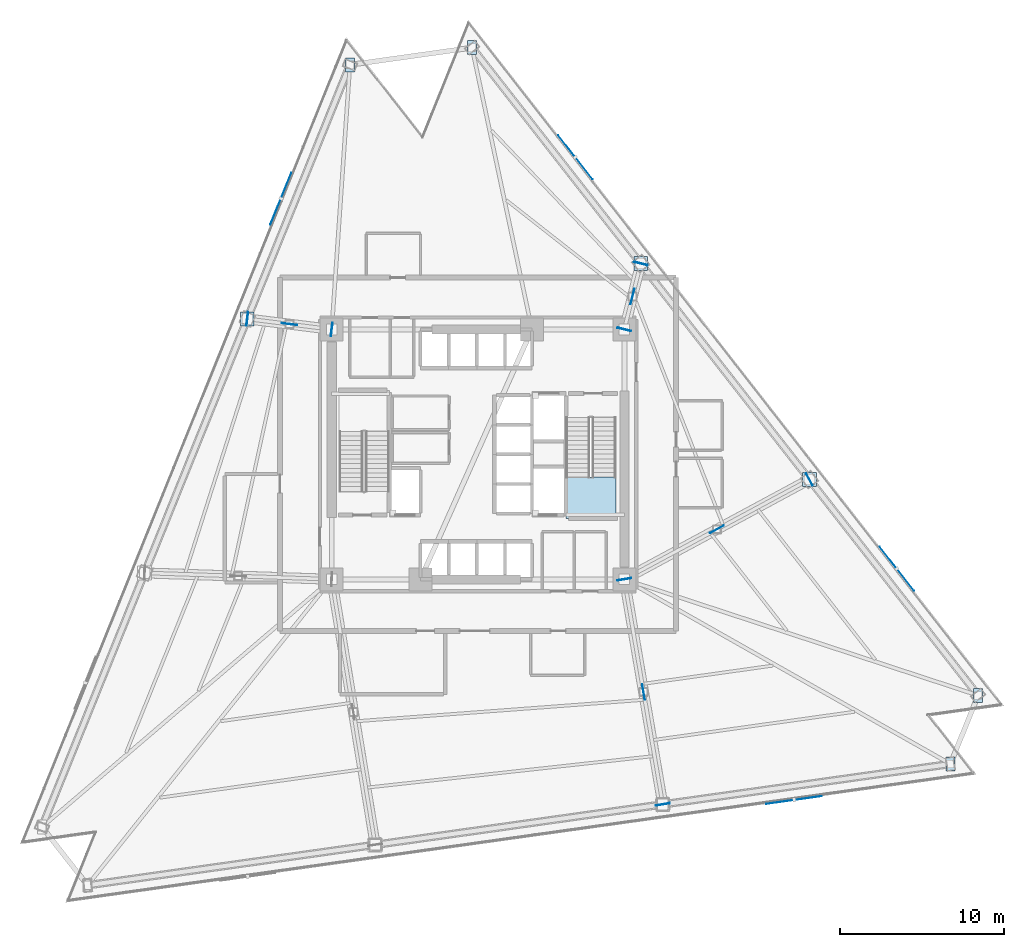
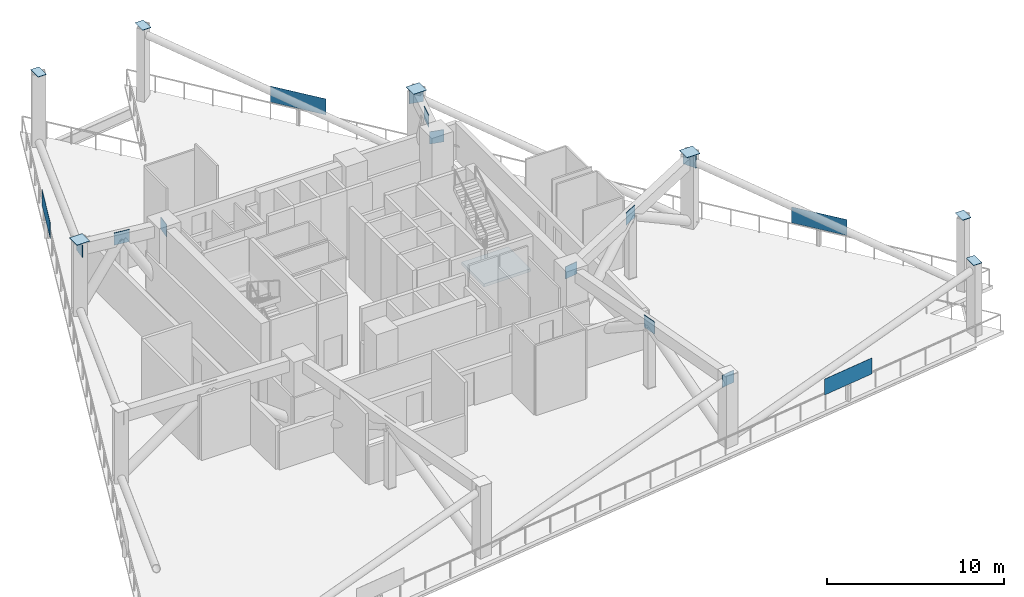
# One storey, part 5 of 13: 22 plates, 1 slab, 1 element without a shape of its own.
"""IFC4 building model written with IfcOpenShell, lengths in metres."""

from ifc_helpers import new_model, si_unit, direction, frame, origin, origin_2d, place, context, subcontext, project, spatial, polyline, rectangle, outline, extrude, material, layer, layer_set, type_object, element, aggregate, save


model = new_model("IFC4")

# Units and contexts
model_context = context("Model", 3, precision=1e-05, world=origin(), true_north=direction((0.0, 1.0)))
body_context = subcontext(model_context, "Body", "Model", "MODEL_VIEW")
ifc_project = project(units=[si_unit("LENGTHUNIT", "METRE"), si_unit("AREAUNIT", "SQUARE_METRE"), si_unit("VOLUMEUNIT", "CUBIC_METRE"), si_unit("PLANEANGLEUNIT", "RADIAN"), si_unit("MASSUNIT", "GRAM", prefix="KILO")], contexts=[model_context])

# Site, building, storey
site_placement = place(None, origin())
site = spatial("IfcSite", under=ifc_project, at=site_placement, CompositionType="ELEMENT")
building_placement = place(site_placement, origin())
building = spatial("IfcBuilding", under=site, at=building_placement, Name="Tharavind Bronze Gate", CompositionType="ELEMENT")
storey_placement = place(building_placement, frame((0.0, 0.0, 81.10009765625)))
storey = spatial("IfcBuildingStorey", under=building, at=storey_placement, Name="L20", CompositionType="ELEMENT", Elevation=81.10009765625)

# Plates
ifc_material_1 = material(Name="Perforated Bronze Alloy", Category="bronze")
ifc_layer_1 = layer(ifc_material_1, 0.011962890625)
ifc_layer_set_1 = layer_set([ifc_layer_1], Name="Perforated Bronze Alloy")
plate_type_1 = type_object("IfcPlateType", Name="BRONZE PERFORATED SOLAR SCREEN", PredefinedType="USERDEFINED", material=ifc_layer_set_1)
for number, where, z_axis, x_axis, name in (
    (1, (-11.99560546875, 15.56201171875, 1.099853515625), (0.0, 0.0, 1.0), (-0.374606593416, -0.927183854567, 0.0), "L20 wind floor acoustic bronze baffle 1.1"),
    (2, (19.231689453125, -21.031494140625, 1.099853515625), (0.0, 0.0, 1.0), (0.990268068742, 0.13917310096, 0.0), "L20 wind floor acoustic bronze baffle 2.2"),
    (3, (25.478759765625, -6.956298828125, 1.099853515625), (0.0, 0.0, 1.0), (-0.615660099987, 0.788011828138, 0.0), "L20 wind floor acoustic bronze baffle 3.1"),
    (4, (5.918701171875, 18.07958984375, 1.099853515625), (0.0, 0.0, 1.0), (-0.615660099987, 0.788011828138, 0.0), "L20 wind floor acoustic bronze baffle 3.2"),
):
    element("IfcPlate", number, at=place(storey_placement, frame(where, z_axis=z_axis, x_axis=x_axis)), inside=storey, type_object=plate_type_1, Name=name, ObjectType="SCREEN", PredefinedType="USERDEFINED", context=body_context, shape_type="SweptSolid", body=[
        extrude(rectangle(XDim=3.39990234375, YDim=0.011962890625, at=origin_2d()), origin(), (0.0, 0.0, 1.0), 1.10009765625),
    ])

# Stair, slab
ifc_material_2 = material(Name="Concrete C40/50", Category="concrete")
stair_type = type_object("IfcStairType", Name="CORE HALF TURN STAIR 1450", PredefinedType="HALF_TURN_STAIR", material=ifc_material_2)
stair_placement = place(storey_placement, origin())
stair = element("IfcStair", 5, at=stair_placement, inside=storey, type_object=stair_type, Name="L20 Protected Exit Stair ST2", PredefinedType="HALF_TURN_STAIR")
ifc_layer_2 = layer(ifc_material_2, 0.199951171875)
ifc_layer_set_2 = layer_set([ifc_layer_2], Name="Concrete C40/50")
slab_type = type_object("IfcSlabType", Name="STAIR LANDING SLAB 200", PredefinedType="LANDING", material=ifc_layer_set_2)
slab_placement = place(storey_placement, frame((0.0, 0.0, 2.2998046875)))
slab = element("IfcSlab", 6, at=slab_placement, type_object=slab_type, Name="ST2 landing 1", PredefinedType="LANDING", context=body_context, shape_type="SweptSolid", body=[
    extrude(outline(polyline([(5.35009765625, -1.389892578125), (5.35009765625, -3.89990234375), (8.39990234375, -3.89990234375), (8.39990234375, -1.389892578125), (5.35009765625, -1.389892578125)])), origin(), (0.0, 0.0, 1.0), 0.2001953125),
])
aggregate(stair, [slab])

# Plates
ifc_material_3 = material(Name="Steel S460", Category="steel")
ifc_layer_3 = layer(ifc_material_3, 0.02490234375)
ifc_layer_set_3 = layer_set([ifc_layer_3], Name="Steel S460")
plate_type_2 = type_object("IfcPlateType", Name="STEEL END CAP SHEET 25", PredefinedType="SHEET", material=ifc_layer_set_3)
plate_1_placement = place(storey_placement, frame((-7.7919921875, 23.69775390625, 4.987548828125), z_axis=(0.0, 0.0, 1.0), x_axis=(1.0, 0.0, 0.0)))
element("IfcPlate", 7, at=plate_1_placement, inside=storey, type_object=plate_type_2, Name="Steel end cap plate CAP-COLT-L20-S1C1", PredefinedType="SHEET", context=body_context, shape_type="SweptSolid", body=[
    extrude(rectangle(XDim=0.544921875, YDim=0.844970703125, at=origin_2d()), origin(), (0.0, 0.0, 1.0), 0.02490234375),
])
plate_2_placement = place(storey_placement, frame((-14.036376953125, 8.2421875, 4.987548828125), z_axis=(0.0, 0.0, 1.0), x_axis=(1.0, 0.0, 0.0)))
element("IfcPlate", 8, at=plate_2_placement, inside=storey, type_object=plate_type_2, Name="Steel end cap plate CAP-COLT-L20-S1C2", PredefinedType="SHEET", context=body_context, shape_type="SweptSolid", body=[
    extrude(rectangle(XDim=0.844970703125, YDim=0.844970703125, at=origin_2d()), origin(), (0.0, 0.0, 1.0), 0.02490234375),
])
for number, where, z_axis, x_axis, name in (
    (9, (28.737060546875, -18.837158203125, 4.987548828125), (0.0, 0.0, 1.0), (1.0, 0.0, 0.0), "Steel end cap plate CAP-COLT-L20-S2C4"),
    (10, (30.422607421875, -14.664794921875, 4.987548828125), (0.0, 0.0, 1.0), (1.0, 0.0, 0.0), "Steel end cap plate CAP-COLT-L20-S3C1"),
):
    element("IfcPlate", number, at=place(storey_placement, frame(where, z_axis=z_axis, x_axis=x_axis)), inside=storey, type_object=plate_type_2, Name=name, PredefinedType="SHEET", context=body_context, shape_type="SweptSolid", body=[
        extrude(rectangle(XDim=0.544921875, YDim=0.844970703125, at=origin_2d()), origin(), (0.0, 0.0, 1.0), 0.02490234375),
    ])
for number, where, z_axis, x_axis, name in (
    (11, (20.16015625, -1.529296875, 4.987548828125), (0.0, 0.0, 1.0), (1.0, 0.0, 0.0), "Steel end cap plate CAP-COLT-L20-S3C2"),
    (12, (9.897705078125, 11.60595703125, 4.987548828125), (0.0, 0.0, 1.0), (1.0, 0.0, 0.0), "Steel end cap plate CAP-COLT-L20-S3C3"),
):
    element("IfcPlate", number, at=place(storey_placement, frame(where, z_axis=z_axis, x_axis=x_axis)), inside=storey, type_object=plate_type_2, Name=name, PredefinedType="SHEET", context=body_context, shape_type="SweptSolid", body=[
        extrude(rectangle(XDim=0.844970703125, YDim=0.844970703125, at=origin_2d()), origin(), (0.0, 0.0, 1.0), 0.02490234375),
    ])
plate_3_placement = place(storey_placement, frame((-0.364990234375, 24.741455078125, 4.987548828125), z_axis=(0.0, 0.0, 1.0), x_axis=(1.0, 0.0, 0.0)))
element("IfcPlate", 13, at=plate_3_placement, inside=storey, type_object=plate_type_2, Name="Steel end cap plate CAP-COLT-L20-S3C4", PredefinedType="SHEET", context=body_context, shape_type="SweptSolid", body=[
    extrude(rectangle(XDim=0.544921875, YDim=0.844970703125, at=origin_2d()), origin(), (0.0, 0.0, 1.0), 0.02490234375),
])
for number, where, z_axis, x_axis, name in (
    (14, (-8.89990234375, 7.60009765625, 4.03759765625), (0.0, 0.0, 1.0), (-0.992271632887, 0.12408467499, 0.0), "Steel end cap plate CAP-L20-OCH1A"),
    (15, (-14.036376953125, 8.2421875, 4.03759765625), (0.0, 0.0, 1.0), (-0.992271632887, 0.12408467499, 0.0), "Steel end cap plate CAP-L20-OCH1B"),
    (16, (8.89990234375, -7.60009765625, 4.03759765625), (0.0, 0.0, 1.0), (-0.168394758048, 0.985719638367, 0.0), "Steel end cap plate CAP-L20-OCH4A"),
    (17, (11.23974609375, -21.29638671875, 4.03759765625), (0.0, 0.0, 1.0), (-0.168394758048, 0.985719638367, 0.0), "Steel end cap plate CAP-L20-OCH4B"),
    (18, (20.16015625, -1.529296875, 4.03759765625), (0.0, 0.0, 1.0), (0.880229000821, 0.474549160903, 0.0), "Steel end cap plate CAP-L20-OCH5B"),
    (19, (8.89990234375, 7.60009765625, 4.03759765625), (0.0, 0.0, 1.0), (0.241645847675, 0.970364511048, 0.0), "Steel end cap plate CAP-L20-OCH6A"),
    (20, (9.897705078125, 11.60595703125, 4.03759765625), (0.0, 0.0, 1.0), (0.241645847675, 0.970364511048, 0.0), "Steel end cap plate CAP-L20-OCH6B"),
):
    element("IfcPlate", number, at=place(storey_placement, frame(where, z_axis=z_axis, x_axis=x_axis)), inside=storey, type_object=plate_type_2, Name=name, PredefinedType="SHEET", context=body_context, shape_type="SweptSolid", body=[
        extrude(rectangle(XDim=0.0400390625, YDim=0.844970703125, at=origin_2d()), origin(), (0.0, 0.0, 1.0), 0.844970703125),
    ])
ifc_layer_4 = layer(ifc_material_3, 0.028076171875)
ifc_layer_set_4 = layer_set([ifc_layer_4], Name="Steel S460")
plate_type_3 = type_object("IfcPlateType", Name="STEEL NODE GUSSET PLATE 28", PredefinedType="USERDEFINED", material=ifc_layer_set_4)
for number, where, z_axis, x_axis, name in (
    (21, (-11.46826171875, 7.921142578125, 4.034912109375), (0.0, 0.0, 1.0), (-0.992271632887, 0.12408467499, 0.0), "Node N1 outrigger truss gusset plate 1"),
    (22, (10.06982421875, -14.447998046875, 4.034912109375), (0.0, 0.0, 1.0), (-0.168394758048, 0.985719638367, 0.0), "Node N1 outrigger truss gusset plate 4"),
    (23, (14.530029296875, -4.564697265625, 4.034912109375), (0.0, 0.0, 1.0), (0.880229000821, 0.474549160903, 0.0), "Node N1 outrigger truss gusset plate 5"),
    (24, (9.398681640625, 9.60302734375, 4.034912109375), (0.0, 0.0, 1.0), (0.241645847675, 0.970364511048, 0.0), "Node N1 outrigger truss gusset plate 6"),
):
    element("IfcPlate", number, at=place(storey_placement, frame(where, z_axis=z_axis, x_axis=x_axis)), inside=storey, type_object=plate_type_3, Name=name, ObjectType="GUSSET PLATE", PredefinedType="USERDEFINED", context=body_context, shape_type="SweptSolid", body=[
        extrude(rectangle(XDim=0.949951171875, YDim=0.028076171875, at=origin_2d()), origin(), (0.0, 0.0, 1.0), 0.85009765625),
    ])

save(model, "model.ifc")
